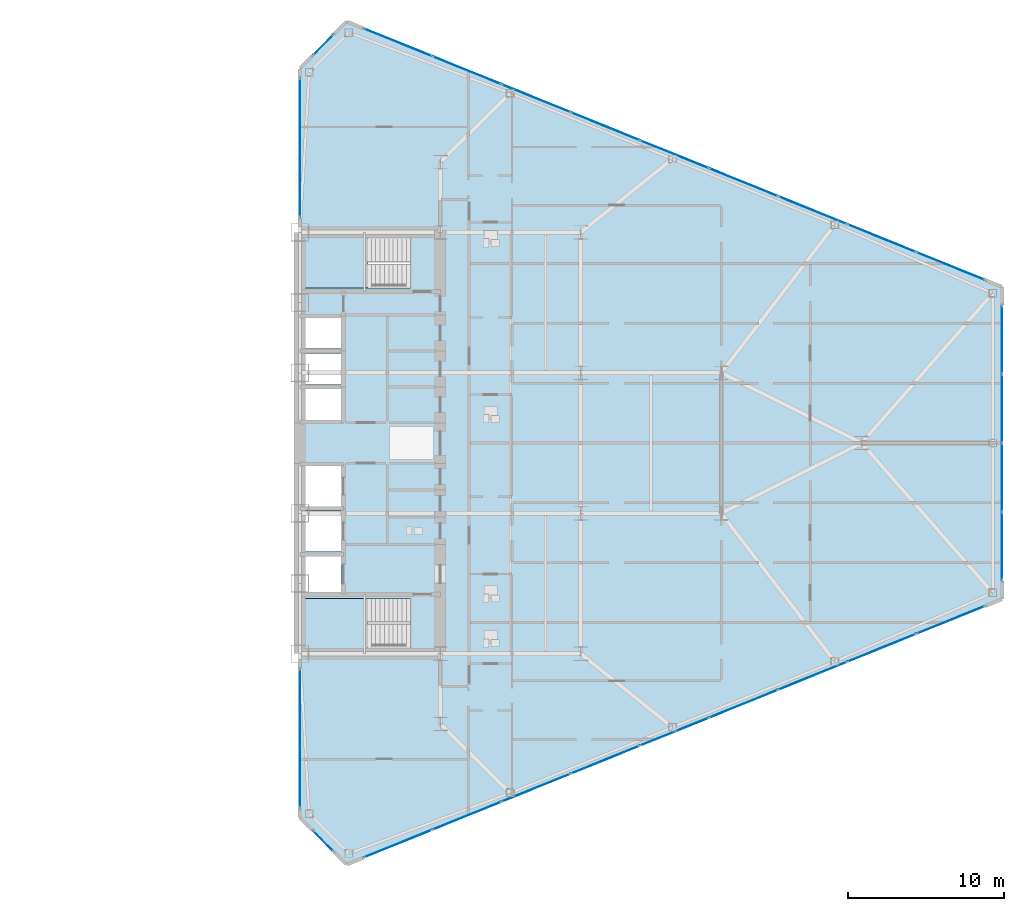
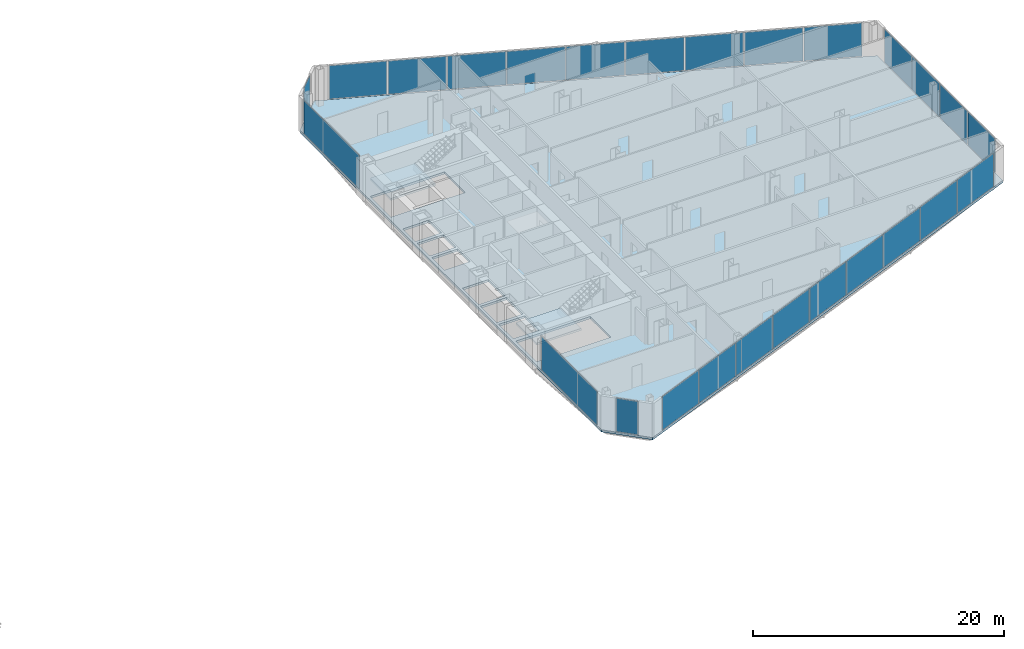
# One storey, part 16 of 25: 26 plates, 3 slabs, 9 elements without a shape of their own.
"""IFC4 building model written with IfcOpenShell, lengths in metres."""

from ifc_helpers import new_model, si_unit, direction, frame, origin, origin_2d, place, context, subcontext, project, spatial, polyline, rectangle, outline, extrude, source, transform, mapped, material, layer, layer_set, type_object, type_shapes, element, aggregate, save


model = new_model("IFC4")

# Units and contexts
model_context = context("Model", 3, precision=1e-05, world=origin(), true_north=direction((0.0, 1.0)))
body_context = subcontext(model_context, "Body", "Model", "MODEL_VIEW")
ifc_project = project(units=[si_unit("LENGTHUNIT", "METRE"), si_unit("AREAUNIT", "SQUARE_METRE"), si_unit("VOLUMEUNIT", "CUBIC_METRE"), si_unit("PLANEANGLEUNIT", "RADIAN"), si_unit("MASSUNIT", "GRAM", prefix="KILO")], contexts=[model_context])

# Site, building, storey
site_placement = place(None, origin())
site = spatial("IfcSite", under=ifc_project, at=site_placement, CompositionType="ELEMENT")
building_placement = place(site_placement, origin())
building = spatial("IfcBuilding", under=site, at=building_placement, Name="Seokmaru Belvedere", CompositionType="ELEMENT")
storey_placement = place(building_placement, frame((0.0, 0.0, 36.89990234375)))
storey = spatial("IfcBuildingStorey", under=building, at=storey_placement, Name="L09", CompositionType="ELEMENT", Elevation=36.89990234375)

# Stair, slab
ifc_material_1 = material(Name="Concrete C40 (40 MPa)", Category="concrete")
stair_type = type_object("IfcStairType", Name="Typical Tower Core Dog-Leg Stair 3600", PredefinedType="TWO_STRAIGHT_RUN_STAIR", material=ifc_material_1)
stair_1_placement = place(storey_placement, origin())
stair_1 = element("IfcStair", 1, at=stair_1_placement, inside=storey, type_object=stair_type, Name="L09 Special Escape Stair ST-E1", PredefinedType="TWO_STRAIGHT_RUN_STAIR")
ifc_layer_1 = layer(ifc_material_1, 0.199951171875)
ifc_layer_set_1 = layer_set([ifc_layer_1], Name="Concrete C40 (40 MPa)")
slab_type_1 = type_object("IfcSlabType", Name="Reinforced Concrete Stair Landing Slab 200", PredefinedType="LANDING", material=ifc_layer_set_1)
slab_1_placement = place(storey_placement, frame((0.0, 0.0, 1.60009765625)))
slab_1 = element("IfcSlab", 2, at=slab_1_placement, type_object=slab_type_1, Name="ST-E1 landing 1", PredefinedType="LANDING", context=body_context, shape_type="SweptSolid", body=[
    extrude(outline(polyline([(27.760009765625, -13.239990234375), (31.8798828125, -13.239990234375), (31.8798828125, -9.949951171875), (27.760009765625, -9.949951171875), (27.760009765625, -13.239990234375)])), origin(), (0.0, 0.0, 1.0), 0.199951171875),
])
aggregate(stair_1, [slab_1])

stair_2_placement = place(storey_placement, origin())
stair_2 = element("IfcStair", 3, at=stair_2_placement, inside=storey, type_object=stair_type, Name="L09 Special Escape Stair ST-E2", PredefinedType="TWO_STRAIGHT_RUN_STAIR")
slab_2_placement = place(storey_placement, frame((0.0, 0.0, 1.60009765625)))
slab_2 = element("IfcSlab", 4, at=slab_2_placement, type_object=slab_type_1, Name="ST-E2 landing 1", PredefinedType="LANDING", context=body_context, shape_type="SweptSolid", body=[
    extrude(outline(polyline([(27.760009765625, 9.949951171875), (31.8798828125, 9.949951171875), (31.8798828125, 13.239990234375), (27.760009765625, 13.239990234375), (27.760009765625, 9.949951171875)])), origin(), (0.0, 0.0, 1.0), 0.199951171875),
])
aggregate(stair_2, [slab_2])

# Slab
ifc_layer_2 = layer(ifc_material_1, 0.219970703125)
ifc_layer_set_2 = layer_set([ifc_layer_2], Name="Concrete C40 (40 MPa)")
slab_type_2 = type_object("IfcSlabType", Name="Typical Tower Composite Floor Slab 220", PredefinedType="FLOOR", material=ifc_layer_set_2)
slab_3_placement = place(storey_placement, frame((0.0, 0.0, -0.219970703125)))
element("IfcSlab", 5, at=slab_3_placement, inside=storey, type_object=slab_type_2, Name="L09 East Leg Floor Slab", PredefinedType="FLOOR", context=body_context, shape_type="SweptSolid", body=[
    extrude(outline(polyline([(30.5, -27.0), (72.5, -10.0), (72.5, 10.0), (30.5, 27.0), (27.5, 24.0), (27.5, -24.0), (30.5, -27.0)]), holes=[polyline([(27.75, -13.25), (34.60009765625, -13.25), (34.60009765625, -9.949951171875), (27.75, -9.949951171875), (27.75, -13.25)]), polyline([(27.75, 9.949951171875), (34.60009765625, 9.949951171875), (34.60009765625, 13.25), (27.75, 13.25), (27.75, 9.949951171875)]), polyline([(27.75, -9.550048828125), (30.14990234375, -9.550048828125), (30.14990234375, -7.25), (27.75, -7.25), (27.75, -9.550048828125)]), polyline([(27.75, -6.949951171875), (30.14990234375, -6.949951171875), (30.14990234375, -4.35009765625), (27.75, -4.35009765625), (27.75, -6.949951171875)]), polyline([(27.75, -4.050048828125), (30.14990234375, -4.050048828125), (30.14990234375, -1.449951171875), (27.75, -1.449951171875), (27.75, -4.050048828125)]), polyline([(27.75, 1.449951171875), (30.14990234375, 1.449951171875), (30.14990234375, 3.449951171875), (27.75, 3.449951171875), (27.75, 1.449951171875)]), polyline([(27.75, 3.75), (30.14990234375, 3.75), (30.14990234375, 5.75), (27.75, 5.75), (27.75, 3.75)]), polyline([(27.75, 6.050048828125), (30.14990234375, 6.050048828125), (30.14990234375, 8.050048828125), (27.75, 8.050048828125), (27.75, 6.050048828125)])]), origin(), (0.0, 0.0, 1.0), 0.219970703125),
])

# Curtain wall, plate
ifc_material_2 = material(Name="Bronze Triple Insulating Glass", Category="glass")
ifc_layer_3 = layer(ifc_material_2, 0.2099609375)
ifc_layer_set_3 = layer_set([ifc_layer_3], Name="Bronze Triple Insulating Glass")
curtain_wall_type = type_object("IfcCurtainWallType", Name="Low-Rise Faceted Crystal Curtain Wall System CW-2", PredefinedType="NOTDEFINED", material=ifc_layer_set_3)
curtain_wall_1_placement = place(storey_placement, origin())
curtain_wall_1 = element("IfcCurtainWall", 6, at=curtain_wall_1_placement, inside=storey, type_object=curtain_wall_type, Name="L09 Curtain Wall ESP_1", PredefinedType="NOTDEFINED")
ifc_layer_4 = layer(ifc_material_2, 0.035888671875)
ifc_layer_set_4 = layer_set([ifc_layer_4], Name="Bronze Triple Insulating Glass")
plate_type = type_object("IfcPlateType", Name="Bronze Triple Vision Glazing Panel 36", PredefinedType="CURTAIN_PANEL", material=ifc_layer_set_4)
shared_shape_1 = source(origin(), body_context, "Body", "SweptSolid", [
    extrude(rectangle(XDim=8.85009765625, YDim=0.035888671875, at=origin_2d()), origin(), (0.0, 0.0, 1.0), 3.239990234375),
])
plate_1_placement = place(storey_placement, frame((27.5, -18.929931640625, 0.0703125), z_axis=(0.0, 0.0, 1.0), x_axis=(0.0, -1.0, 0.0)))
plate_1 = element("IfcPlate", 7, at=plate_1_placement, type_object=plate_type, Name="CW:L09:ESP_1 Glazing Panel 1-1", PredefinedType="CURTAIN_PANEL", context=body_context, shape_type="MappedRepresentation", body=[
    mapped(shared_shape_1, transform((0.0, 0.0, 0.0), scale=1.0)),
])
aggregate(curtain_wall_1, [plate_1])

curtain_wall_2_placement = place(storey_placement, origin())
curtain_wall_2 = element("IfcCurtainWall", 8, at=curtain_wall_2_placement, inside=storey, type_object=curtain_wall_type, Name="L09 Curtain Wall ESP_2", PredefinedType="NOTDEFINED")
plate_2_placement = place(storey_placement, frame((27.5, 18.929931640625, 0.0703125), z_axis=(0.0, 0.0, 1.0), x_axis=(0.0, -1.0, 0.0)))
plate_2 = element("IfcPlate", 9, at=plate_2_placement, type_object=plate_type, Name="CW:L09:ESP_2 Glazing Panel 1-1", PredefinedType="CURTAIN_PANEL", context=body_context, shape_type="MappedRepresentation", body=[
    mapped(shared_shape_1, transform((0.0, 0.0, 0.0), scale=1.0)),
])
aggregate(curtain_wall_2, [plate_2])

curtain_wall_3_placement = place(storey_placement, origin())
curtain_wall_3 = element("IfcCurtainWall", 10, at=curtain_wall_3_placement, inside=storey, type_object=curtain_wall_type, Name="L09 Curtain Wall EF4", PredefinedType="NOTDEFINED")
shared_shape_2 = source(origin(), body_context, "Body", "SweptSolid", [
    extrude(rectangle(XDim=1.79248046875, YDim=0.035888671875, at=origin_2d()), origin(), (0.0, 0.0, 1.0), 3.239990234375),
])
plate_3_placement = place(storey_placement, frame((29.0, 25.5, 0.0703125), z_axis=(0.0, 0.0, 1.0), x_axis=(-0.707106781187, -0.707106781187, 0.0)))
plate_3 = element("IfcPlate", 11, at=plate_3_placement, type_object=plate_type, Name="CW:L09:EF4 Glazing Panel 1-1", PredefinedType="CURTAIN_PANEL", context=body_context, shape_type="MappedRepresentation", body=[
    mapped(shared_shape_2, transform((0.0, 0.0, 0.0), scale=1.0)),
])
aggregate(curtain_wall_3, [plate_3])

curtain_wall_4_placement = place(storey_placement, origin())
curtain_wall_4 = element("IfcCurtainWall", 12, at=curtain_wall_4_placement, inside=storey, type_object=curtain_wall_type, Name="L09 Curtain Wall EF6", PredefinedType="NOTDEFINED")
plate_4_placement = place(storey_placement, frame((29.0, -25.5, 0.0703125), z_axis=(0.0, 0.0, 1.0), x_axis=(0.707106781187, -0.707106781187, 0.0)))
plate_4 = element("IfcPlate", 13, at=plate_4_placement, type_object=plate_type, Name="CW:L09:EF6 Glazing Panel 1-1", PredefinedType="CURTAIN_PANEL", context=body_context, shape_type="MappedRepresentation", body=[
    mapped(shared_shape_2, transform((0.0, 0.0, 0.0), scale=1.0)),
])
aggregate(curtain_wall_4, [plate_4])

# Curtain wall, plates
curtain_wall_5_placement = place(storey_placement, origin())
curtain_wall_5 = element("IfcCurtainWall", 14, at=curtain_wall_5_placement, inside=storey, type_object=curtain_wall_type, Name="L09 Curtain Wall EF1", PredefinedType="NOTDEFINED")
shared_shape_3 = source(origin(), body_context, "Body", "SweptSolid", [
    extrude(rectangle(XDim=4.66650390625, YDim=0.035888671875, at=origin_2d()), origin(), (0.0, 0.0, 1.0), 3.239990234375),
])
plate_5_placement = place(storey_placement, frame((33.79833984375, -25.6650390625, 0.0703125), z_axis=(0.0, 0.0, 1.0), x_axis=(0.926946989637, 0.375192321888, 0.0)))
plate_5 = element("IfcPlate", 15, at=plate_5_placement, type_object=plate_type, Name="CW:L09:EF1 Glazing Panel 1-1", PredefinedType="CURTAIN_PANEL", context=body_context, shape_type="MappedRepresentation", body=[
    mapped(shared_shape_3, transform((0.0, 0.0, 0.0), scale=1.0)),
])
plate_6_placement = place(storey_placement, frame((69.20166015625, -11.3349609375, 0.0703125), z_axis=(0.0, 0.0, 1.0), x_axis=(0.926946989637, 0.375192321888, 0.0)))
plate_6 = element("IfcPlate", 16, at=plate_6_placement, type_object=plate_type, Name="CW:L09:EF1 Glazing Panel 9-1", PredefinedType="CURTAIN_PANEL", context=body_context, shape_type="MappedRepresentation", body=[
    mapped(shared_shape_3, transform((0.0, 0.0, 0.0), scale=1.0)),
])

curtain_wall_6_placement = place(storey_placement, origin())
curtain_wall_6 = element("IfcCurtainWall", 17, at=curtain_wall_6_placement, inside=storey, type_object=curtain_wall_type, Name="L09 Curtain Wall EF3", PredefinedType="NOTDEFINED")
plate_7_placement = place(storey_placement, frame((69.20166015625, 11.3349609375, 0.0703125), z_axis=(0.0, 0.0, 1.0), x_axis=(-0.926946989637, 0.375192321888, 0.0)))
plate_7 = element("IfcPlate", 18, at=plate_7_placement, type_object=plate_type, Name="CW:L09:EF3 Glazing Panel 1-1", PredefinedType="CURTAIN_PANEL", context=body_context, shape_type="MappedRepresentation", body=[
    mapped(shared_shape_3, transform((0.0, 0.0, 0.0), scale=1.0)),
])
plate_8_placement = place(storey_placement, frame((33.79833984375, 25.6650390625, 0.0703125), z_axis=(0.0, 0.0, 1.0), x_axis=(-0.926946989637, 0.375192321888, 0.0)))
plate_8 = element("IfcPlate", 19, at=plate_8_placement, type_object=plate_type, Name="CW:L09:EF3 Glazing Panel 9-1", PredefinedType="CURTAIN_PANEL", context=body_context, shape_type="MappedRepresentation", body=[
    mapped(shared_shape_3, transform((0.0, 0.0, 0.0), scale=1.0)),
])

# Plate
shared_shape_4 = source(origin(), body_context, "Body", "SweptSolid", [
    extrude(rectangle(XDim=4.703857421875, YDim=0.035888671875, at=origin_2d()), origin(), (0.0, 0.0, 1.0), 3.239990234375),
])
plate_9_placement = place(storey_placement, frame((38.210693359375, -23.87890625, 0.0703125), z_axis=(0.0, 0.0, 1.0), x_axis=(0.926946989637, 0.375192321888, 0.0)))
plate_9 = element("IfcPlate", 20, at=plate_9_placement, type_object=plate_type, Name="CW:L09:EF1 Glazing Panel 2-1", PredefinedType="CURTAIN_PANEL", context=body_context, shape_type="MappedRepresentation", body=[
    mapped(shared_shape_4, transform((0.0, 0.0, 0.0), scale=1.0)),
])

plate_10_placement = place(storey_placement, frame((42.640380859375, -22.0859375, 0.0703125), z_axis=(0.0, 0.0, 1.0), x_axis=(0.926946989637, 0.375192321888, 0.0)))
plate_10 = element("IfcPlate", 21, at=plate_10_placement, type_object=plate_type, Name="CW:L09:EF1 Glazing Panel 3-1", PredefinedType="CURTAIN_PANEL", context=body_context, shape_type="MappedRepresentation", body=[
    mapped(shared_shape_4, transform((0.0, 0.0, 0.0), scale=1.0)),
])

plate_11_placement = place(storey_placement, frame((47.0703125, -20.29296875, 0.0703125), z_axis=(0.0, 0.0, 1.0), x_axis=(0.926946989637, 0.375192321888, 0.0)))
plate_11 = element("IfcPlate", 22, at=plate_11_placement, type_object=plate_type, Name="CW:L09:EF1 Glazing Panel 4-1", PredefinedType="CURTAIN_PANEL", context=body_context, shape_type="MappedRepresentation", body=[
    mapped(shared_shape_4, transform((0.0, 0.0, 0.0), scale=1.0)),
])

plate_12_placement = place(storey_placement, frame((51.5, -18.5, 0.0703125), z_axis=(0.0, 0.0, 1.0), x_axis=(0.926946989637, 0.375192321888, 0.0)))
plate_12 = element("IfcPlate", 23, at=plate_12_placement, type_object=plate_type, Name="CW:L09:EF1 Glazing Panel 5-1", PredefinedType="CURTAIN_PANEL", context=body_context, shape_type="MappedRepresentation", body=[
    mapped(shared_shape_4, transform((0.0, 0.0, 0.0), scale=1.0)),
])

plate_13_placement = place(storey_placement, frame((55.9296875, -16.70703125, 0.0703125), z_axis=(0.0, 0.0, 1.0), x_axis=(0.926946989637, 0.375192321888, 0.0)))
plate_13 = element("IfcPlate", 24, at=plate_13_placement, type_object=plate_type, Name="CW:L09:EF1 Glazing Panel 6-1", PredefinedType="CURTAIN_PANEL", context=body_context, shape_type="MappedRepresentation", body=[
    mapped(shared_shape_4, transform((0.0, 0.0, 0.0), scale=1.0)),
])

plate_14_placement = place(storey_placement, frame((60.359619140625, -14.9140625, 0.0703125), z_axis=(0.0, 0.0, 1.0), x_axis=(0.926946989637, 0.375192321888, 0.0)))
plate_14 = element("IfcPlate", 25, at=plate_14_placement, type_object=plate_type, Name="CW:L09:EF1 Glazing Panel 7-1", PredefinedType="CURTAIN_PANEL", context=body_context, shape_type="MappedRepresentation", body=[
    mapped(shared_shape_4, transform((0.0, 0.0, 0.0), scale=1.0)),
])

plate_15_placement = place(storey_placement, frame((64.789306640625, -13.12109375, 0.0703125), z_axis=(0.0, 0.0, 1.0), x_axis=(0.926946989637, 0.375192321888, 0.0)))
plate_15 = element("IfcPlate", 26, at=plate_15_placement, type_object=plate_type, Name="CW:L09:EF1 Glazing Panel 8-1", PredefinedType="CURTAIN_PANEL", context=body_context, shape_type="MappedRepresentation", body=[
    mapped(shared_shape_4, transform((0.0, 0.0, 0.0), scale=1.0)),
])

aggregate(curtain_wall_5, [plate_5, plate_9, plate_10, plate_11, plate_12, plate_13, plate_14, plate_15, plate_6])

plate_16_placement = place(storey_placement, frame((64.789306640625, 13.12109375, 0.0703125), z_axis=(0.0, 0.0, 1.0), x_axis=(-0.926946989637, 0.375192321888, 0.0)))
plate_16 = element("IfcPlate", 27, at=plate_16_placement, type_object=plate_type, Name="CW:L09:EF3 Glazing Panel 2-1", PredefinedType="CURTAIN_PANEL", context=body_context, shape_type="MappedRepresentation", body=[
    mapped(shared_shape_4, transform((0.0, 0.0, 0.0), scale=1.0)),
])

plate_17_placement = place(storey_placement, frame((60.359619140625, 14.9140625, 0.0703125), z_axis=(0.0, 0.0, 1.0), x_axis=(-0.926946989637, 0.375192321888, 0.0)))
plate_17 = element("IfcPlate", 28, at=plate_17_placement, type_object=plate_type, Name="CW:L09:EF3 Glazing Panel 3-1", PredefinedType="CURTAIN_PANEL", context=body_context, shape_type="MappedRepresentation", body=[
    mapped(shared_shape_4, transform((0.0, 0.0, 0.0), scale=1.0)),
])

plate_18_placement = place(storey_placement, frame((55.9296875, 16.70703125, 0.0703125), z_axis=(0.0, 0.0, 1.0), x_axis=(-0.926946989637, 0.375192321888, 0.0)))
plate_18 = element("IfcPlate", 29, at=plate_18_placement, type_object=plate_type, Name="CW:L09:EF3 Glazing Panel 4-1", PredefinedType="CURTAIN_PANEL", context=body_context, shape_type="MappedRepresentation", body=[
    mapped(shared_shape_4, transform((0.0, 0.0, 0.0), scale=1.0)),
])

plate_19_placement = place(storey_placement, frame((51.5, 18.5, 0.0703125), z_axis=(0.0, 0.0, 1.0), x_axis=(-0.926946989637, 0.375192321888, 0.0)))
plate_19 = element("IfcPlate", 30, at=plate_19_placement, type_object=plate_type, Name="CW:L09:EF3 Glazing Panel 5-1", PredefinedType="CURTAIN_PANEL", context=body_context, shape_type="MappedRepresentation", body=[
    mapped(shared_shape_4, transform((0.0, 0.0, 0.0), scale=1.0)),
])

plate_20_placement = place(storey_placement, frame((47.0703125, 20.29296875, 0.0703125), z_axis=(0.0, 0.0, 1.0), x_axis=(-0.926946989637, 0.375192321888, 0.0)))
plate_20 = element("IfcPlate", 31, at=plate_20_placement, type_object=plate_type, Name="CW:L09:EF3 Glazing Panel 6-1", PredefinedType="CURTAIN_PANEL", context=body_context, shape_type="MappedRepresentation", body=[
    mapped(shared_shape_4, transform((0.0, 0.0, 0.0), scale=1.0)),
])

plate_21_placement = place(storey_placement, frame((42.640380859375, 22.0859375, 0.0703125), z_axis=(0.0, 0.0, 1.0), x_axis=(-0.926946989637, 0.375192321888, 0.0)))
plate_21 = element("IfcPlate", 32, at=plate_21_placement, type_object=plate_type, Name="CW:L09:EF3 Glazing Panel 7-1", PredefinedType="CURTAIN_PANEL", context=body_context, shape_type="MappedRepresentation", body=[
    mapped(shared_shape_4, transform((0.0, 0.0, 0.0), scale=1.0)),
])

plate_22_placement = place(storey_placement, frame((38.210693359375, 23.87890625, 0.0703125), z_axis=(0.0, 0.0, 1.0), x_axis=(-0.926946989637, 0.375192321888, 0.0)))
plate_22 = element("IfcPlate", 33, at=plate_22_placement, type_object=plate_type, Name="CW:L09:EF3 Glazing Panel 8-1", PredefinedType="CURTAIN_PANEL", context=body_context, shape_type="MappedRepresentation", body=[
    mapped(shared_shape_4, transform((0.0, 0.0, 0.0), scale=1.0)),
])

aggregate(curtain_wall_6, [plate_7, plate_16, plate_17, plate_18, plate_19, plate_20, plate_21, plate_22, plate_8])

# Curtain wall, plates
curtain_wall_7_placement = place(storey_placement, origin())
curtain_wall_7 = element("IfcCurtainWall", 34, at=curtain_wall_7_placement, inside=storey, type_object=curtain_wall_type, Name="L09 Curtain Wall EF2", PredefinedType="NOTDEFINED")
shared_shape_5 = source(origin(), body_context, "Body", "SweptSolid", [
    extrude(rectangle(XDim=4.3125, YDim=0.035888671875, at=origin_2d()), origin(), (0.0, 0.0, 1.0), 3.239990234375),
])
plate_23_placement = place(storey_placement, frame((72.5, -6.61865234375, 0.0703125), z_axis=(0.0, 0.0, 1.0), x_axis=(0.0, 1.0, 0.0)))
plate_23 = element("IfcPlate", 35, at=plate_23_placement, type_object=plate_type, Name="CW:L09:EF2 Glazing Panel 1-1", PredefinedType="CURTAIN_PANEL", context=body_context, shape_type="MappedRepresentation", body=[
    mapped(shared_shape_5, transform((0.0, 0.0, 0.0), scale=1.0)),
])
plate_24_placement = place(storey_placement, frame((72.5, 6.61865234375, 0.0703125), z_axis=(0.0, 0.0, 1.0), x_axis=(0.0, 1.0, 0.0)))
plate_24 = element("IfcPlate", 36, at=plate_24_placement, type_object=plate_type, Name="CW:L09:EF2 Glazing Panel 4-1", PredefinedType="CURTAIN_PANEL", context=body_context, shape_type="MappedRepresentation", body=[
    mapped(shared_shape_5, transform((0.0, 0.0, 0.0), scale=1.0)),
])
shared_shape_6 = source(origin(), body_context, "Body", "SweptSolid", [
    extrude(rectangle(XDim=4.35009765625, YDim=0.035888671875, at=origin_2d()), origin(), (0.0, 0.0, 1.0), 3.239990234375),
])
type_shapes(plate_type, [shared_shape_1, shared_shape_2, shared_shape_3, shared_shape_4, shared_shape_5, shared_shape_6])
plate_25_placement = place(storey_placement, frame((72.5, -2.21240234375, 0.0703125), z_axis=(0.0, 0.0, 1.0), x_axis=(0.0, 1.0, 0.0)))
plate_25 = element("IfcPlate", 37, at=plate_25_placement, type_object=plate_type, Name="CW:L09:EF2 Glazing Panel 2-1", PredefinedType="CURTAIN_PANEL", context=body_context, shape_type="MappedRepresentation", body=[
    mapped(shared_shape_6, transform((0.0, 0.0, 0.0), scale=1.0)),
])
plate_26_placement = place(storey_placement, frame((72.5, 2.21240234375, 0.0703125), z_axis=(0.0, 0.0, 1.0), x_axis=(0.0, 1.0, 0.0)))
plate_26 = element("IfcPlate", 38, at=plate_26_placement, type_object=plate_type, Name="CW:L09:EF2 Glazing Panel 3-1", PredefinedType="CURTAIN_PANEL", context=body_context, shape_type="MappedRepresentation", body=[
    mapped(shared_shape_6, transform((0.0, 0.0, 0.0), scale=1.0)),
])
aggregate(curtain_wall_7, [plate_23, plate_25, plate_26, plate_24])

save(model, "model.ifc")
